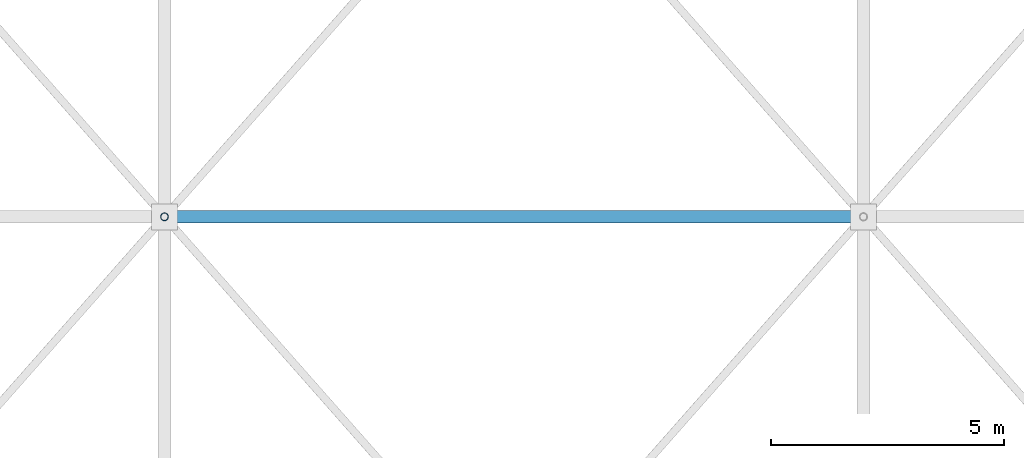
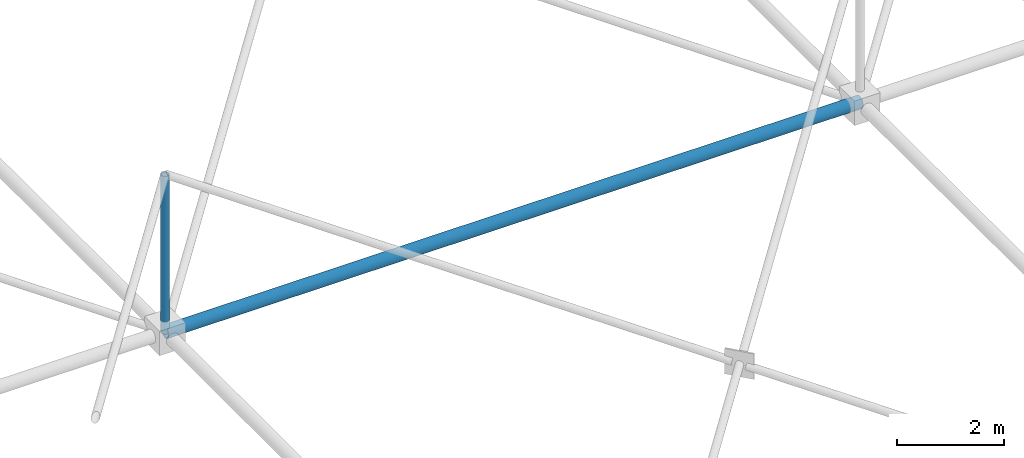
# One storey, part 58 of 224: 2 members.
"""IFC4 building model written with IfcOpenShell, lengths in metres."""

import ifcopenshell
import ifcopenshell.guid

model = None  # the IFC model being written
_history = None  # IfcOwnerHistory: only IFC2X3 demands one
_inside = {}  # id of a spatial element -> (the spatial element, [elements in it])
_under = {}  # id of a project, library or spatial element -> (it, [spatial elements below it])
_declared = {}  # id of a project -> (the project, [libraries it declares])
_typed = {}  # id of a type object -> (the type object, [elements of that type])
_made_of = {}  # id of a material, layer set ... -> (it, [elements and type objects made of it])


def new_model(schema):
    """Start an empty IFC model of exactly this schema.

    Asked for "IFC4X3", IfcOpenShell would pick the latest addendum, in which some entities
    have other attributes; the version numbers below select the first issue.
    IFC2X3 requires an IfcOwnerHistory on every rooted entity: one is made here for all.
    """
    global model, _history
    if schema == "IFC4X3":
        model = ifcopenshell.file(schema_version=(4, 3, 0, 0))
    else:
        model = ifcopenshell.file(schema=schema)
    _inside.clear()
    _under.clear()
    _declared.clear()
    _typed.clear()
    _made_of.clear()
    _history = None
    if model.schema == "IFC2X3":
        org = make("IfcOrganization", Name="unknown")
        user = make(
            "IfcPersonAndOrganization",
            ThePerson=make("IfcPerson", FamilyName="unknown"),
            TheOrganization=org,
        )
        app = make(
            "IfcApplication",
            ApplicationDeveloper=org,
            Version="unknown",
            ApplicationFullName="unknown",
            ApplicationIdentifier="unknown",
        )
        _history = make(
            "IfcOwnerHistory",
            OwningUser=user,
            OwningApplication=app,
            ChangeAction="ADDED",
            CreationDate=0,
        )
    return model


def make(cls, **values):
    """One entity of the class cls with the attributes given. An attribute that is None is left unset."""
    return model.create_entity(
        cls, **{name: value for name, value in values.items() if value is not None}
    )


def rooted(cls, **values):
    """An entity with a GlobalId (a new one), such as an element, a storey or a relation."""
    return make(cls, GlobalId=ifcopenshell.guid.new(), OwnerHistory=_history, **values)


def si_unit(unit_type, name, prefix=None):
    """IfcSIUnit, for example si_unit("LENGTHUNIT", "METRE", prefix="MILLI")."""
    return make("IfcSIUnit", UnitType=unit_type, Prefix=prefix, Name=name)


def assignment(units):
    """IfcUnitAssignment: the units of a project."""
    return None if units is None else make("IfcUnitAssignment", Units=units)


def point(xyz):
    """IfcCartesianPoint."""
    return None if xyz is None else make("IfcCartesianPoint", Coordinates=xyz)


def direction(xyz):
    """IfcDirection."""
    return None if xyz is None else make("IfcDirection", DirectionRatios=xyz)


def frame(location, z_axis=None, x_axis=None):
    """IfcAxis2Placement3D, a coordinate frame: its origin and axes. An axis left out is left unset."""
    return make(
        "IfcAxis2Placement3D",
        Location=point(location),
        Axis=direction(z_axis),
        RefDirection=direction(x_axis),
    )


def frame_2d(location, x_axis=None):
    """IfcAxis2Placement2D, a coordinate frame in the plane: its origin and x axis."""
    return make(
        "IfcAxis2Placement2D", Location=point(location), RefDirection=direction(x_axis)
    )


def origin():
    """The frame at (0, 0, 0) with its axes left unset."""
    return frame((0.0, 0.0, 0.0))


def origin_2d():
    """The frame at (0, 0) in the plane with its x axis left unset."""
    return frame_2d((0.0, 0.0))


def place(relative_to, where):
    """IfcLocalPlacement: puts the frame where relative to a parent placement (None: the world)."""
    return make(
        "IfcLocalPlacement", PlacementRelTo=relative_to, RelativePlacement=where
    )


def context(
    kind, dimensions, precision=None, world=None, true_north=None, identifier=None
):
    """IfcGeometricRepresentationContext, for example the 3D "Model" context."""
    return make(
        "IfcGeometricRepresentationContext",
        ContextIdentifier=identifier,
        ContextType=kind,
        CoordinateSpaceDimension=dimensions,
        Precision=precision,
        WorldCoordinateSystem=world,
        TrueNorth=true_north,
    )


def subcontext(parent, identifier, kind, view, scale=None):
    """IfcGeometricRepresentationSubContext, for example "Body" below "Model"."""
    return make(
        "IfcGeometricRepresentationSubContext",
        ContextIdentifier=identifier,
        ContextType=kind,
        ParentContext=parent,
        TargetScale=scale,
        TargetView=view,
    )


def project(units=None, contexts=None):
    """IfcProject with its units and contexts."""
    return rooted(
        "IfcProject",
        Name="project",
        RepresentationContexts=contexts,
        UnitsInContext=assignment(units),
    )


def spatial(cls, under=None, at=None, **own):
    """A site, building, storey or space (cls), placed at a placement, below another one or the project."""
    s = rooted(cls, ObjectPlacement=at, **own)
    if under is not None:
        _under.setdefault(under.id(), (under, []))[1].append(s)
    return s


def profile(cls, at=None, kind="AREA", **sizes):
    """A parametric profile (cls). Its sizes go by their IFC names, for example OverallWidth=200.0."""
    return make(cls, ProfileType=kind, Position=at, **sizes)


def hollow_circle(**sizes):
    """IfcCircleHollowProfileDef."""
    return profile("IfcCircleHollowProfileDef", **sizes)


def extrude(swept, where, along, depth):
    """IfcExtrudedAreaSolid: the profile swept, set in the frame where, extruded along a direction by depth."""
    return make(
        "IfcExtrudedAreaSolid",
        SweptArea=swept,
        Position=where,
        ExtrudedDirection=direction(along),
        Depth=depth,
    )


def shape(context_of_items, identifier, shape_type, items):
    """IfcShapeRepresentation: the items that make up one representation, for example the "Body"."""
    return make(
        "IfcShapeRepresentation",
        ContextOfItems=context_of_items,
        RepresentationIdentifier=identifier,
        RepresentationType=shape_type,
        Items=items,
    )


def material(Name=None, Category=None):
    """IfcMaterial."""
    return make("IfcMaterial", Name=Name, Category=Category)


def material_profile(
    of_material, cross_section, Name=None, Category=None, Priority=None
):
    """IfcMaterialProfile: a cross section and its material."""
    return make(
        "IfcMaterialProfile",
        Name=Name,
        Material=of_material,
        Profile=cross_section,
        Priority=Priority,
        Category=Category,
    )


def profile_set(profiles, Name=None, composite=None):
    """IfcMaterialProfileSet."""
    return make(
        "IfcMaterialProfileSet",
        Name=Name,
        MaterialProfiles=profiles,
        CompositeProfile=composite,
    )


def made_of(thing, what):
    """Note that an element or type object is made of a material, layer set ...; save() writes the relation."""
    if what is not None:
        _made_of.setdefault(what.id(), (what, []))[1].append(thing)
    return thing


def type_object(cls, material=None, **own):
    """A type object (cls), such as IfcWallType, which elements share."""
    return made_of(rooted(cls, **own), material)


def element(
    cls,
    number,
    at=None,
    inside=None,
    cuts=None,
    type_object=None,
    material=None,
    context=None,
    identifier="Body",
    shape_type=None,
    held_by="IfcProductDefinitionShape",
    body=None,
    shapes=None,
    **own,
):
    """One element of the class cls, such as IfcWall. Its Tag is "e" and its number.

    at: its placement. inside: the storey or other place that contains it. cuts: it is an
    opening in that element (IfcRelVoidsElement). A single representation is given by context,
    identifier, shape_type and body (its items); several are given by shapes. held_by: the class
    of the entity that holds the representations. save() writes the other relations.
    """
    e = rooted(cls, Tag="e%d" % number, ObjectPlacement=at, **own)
    if body is not None:
        shapes = [shape(context, identifier, shape_type, body)]
    if shapes is not None:
        e.Representation = make(held_by, Representations=shapes)
    if inside is not None:
        _inside.setdefault(inside.id(), (inside, []))[1].append(e)
    if cuts is not None:
        rooted(
            "IfcRelVoidsElement", RelatingBuildingElement=cuts, RelatedOpeningElement=e
        )
    if type_object is not None:
        _typed.setdefault(type_object.id(), (type_object, []))[1].append(e)
    return made_of(e, material)


def aggregate(whole, parts):
    """IfcRelAggregates: a whole, such as a stair, and the parts it consists of."""
    return rooted("IfcRelAggregates", RelatingObject=whole, RelatedObjects=parts)


def save(model, path):
    """Write the relations noted so far, then the file.

    IfcRelAggregates (storeys below a building ...), IfcRelContainedInSpatialStructure (elements
    in a storey), IfcRelDefinesByType, IfcRelAssociatesMaterial and IfcRelDeclares: one each for
    every whole, place, type object, material and project.
    """
    for whole, parts in _under.values():
        aggregate(whole, parts)
    for where, things in _inside.values():
        rooted(
            "IfcRelContainedInSpatialStructure",
            RelatedElements=things,
            RelatingStructure=where,
        )
    for kind, things in _typed.values():
        rooted("IfcRelDefinesByType", RelatedObjects=things, RelatingType=kind)
    for what, things in _made_of.values():
        rooted("IfcRelAssociatesMaterial", RelatedObjects=things, RelatingMaterial=what)
    for by, libraries in _declared.values():
        rooted("IfcRelDeclares", RelatingContext=by, RelatedDefinitions=libraries)
    model.write(path)


model = new_model("IFC4")

# Units and contexts
model_context = context("Model", 3, precision=1e-05, world=origin(), true_north=direction((0.0, 1.0)))
body_context = subcontext(model_context, "Body", "Model", "MODEL_VIEW")
ifc_project = project(units=[si_unit("LENGTHUNIT", "METRE"), si_unit("AREAUNIT", "SQUARE_METRE"), si_unit("VOLUMEUNIT", "CUBIC_METRE"), si_unit("PLANEANGLEUNIT", "RADIAN"), si_unit("MASSUNIT", "GRAM", prefix="KILO")], contexts=[model_context])

# Site, building, storey
site_placement = place(None, origin())
site = spatial("IfcSite", under=ifc_project, at=site_placement, CompositionType="ELEMENT")
building_placement = place(site_placement, origin())
building = spatial("IfcBuilding", under=site, at=building_placement, Name="Qamarlyn Nura Convention Centre", CompositionType="ELEMENT")
storey_placement = place(building_placement, frame((0.0, 0.0, 10.800048828125)))
storey = spatial("IfcBuildingStorey", under=building, at=storey_placement, Name="L02", CompositionType="ELEMENT", Elevation=10.800048828125)

# Members
ifc_material = material(Name="Pearl-white PVDF steel ASTM A500 Grade C", Category="steel")
ifc_material_profile_1 = material_profile(ifc_material, hollow_circle(Radius=0.136474609375, WallThickness=0.012451171875, at=origin_2d()), Name="CHS273X12.5")
ifc_profile_set_1 = profile_set([ifc_material_profile_1], Name="Pearl-white PVDF steel ASTM A500 Grade C")
member_type_1 = type_object("IfcMemberType", Name="SF-BC-MAIN", PredefinedType="CHORD", material=ifc_profile_set_1)
member_1_placement = place(storey_placement, frame((75.0, 52.0, 0.800048828125), z_axis=(1.0, 0.0, 0.0), x_axis=(0.0, 1.0, 0.0)))
element("IfcMember", 1, at=member_1_placement, inside=storey, type_object=member_type_1, Name="ROOF TRUSS space frame bottom chord X7-4", PredefinedType="CHORD", context=body_context, shape_type="SweptSolid", body=[
    extrude(hollow_circle(Radius=0.136474609375, WallThickness=0.012451171875, at=origin_2d()), origin(), (0.0, 0.0, 1.0), 15.0),
])
ifc_material_profile_2 = material_profile(ifc_material, hollow_circle(Radius=0.084228515625, WallThickness=0.008056640625, at=origin_2d()), Name="CHS168.3X8")
ifc_profile_set_2 = profile_set([ifc_material_profile_2], Name="Pearl-white PVDF steel ASTM A500 Grade C")
member_type_2 = type_object("IfcMemberType", Name="SF-WEB-STD", PredefinedType="BRACE", material=ifc_profile_set_2)
member_2_placement = place(storey_placement, frame((75.0, 52.0, 0.800048828125), z_axis=(0.0, 0.0, 1.0), x_axis=(1.0, 0.0, 0.0)))
element("IfcMember", 2, at=member_2_placement, inside=storey, type_object=member_type_2, Name="ROOF TRUSS space frame vertical 7-4", PredefinedType="BRACE", context=body_context, shape_type="SweptSolid", body=[
    extrude(hollow_circle(Radius=0.084228515625, WallThickness=0.008056640625, at=origin_2d()), origin(), (0.0, 0.0, 1.0), 3.599853515625),
])

save(model, "model.ifc")
